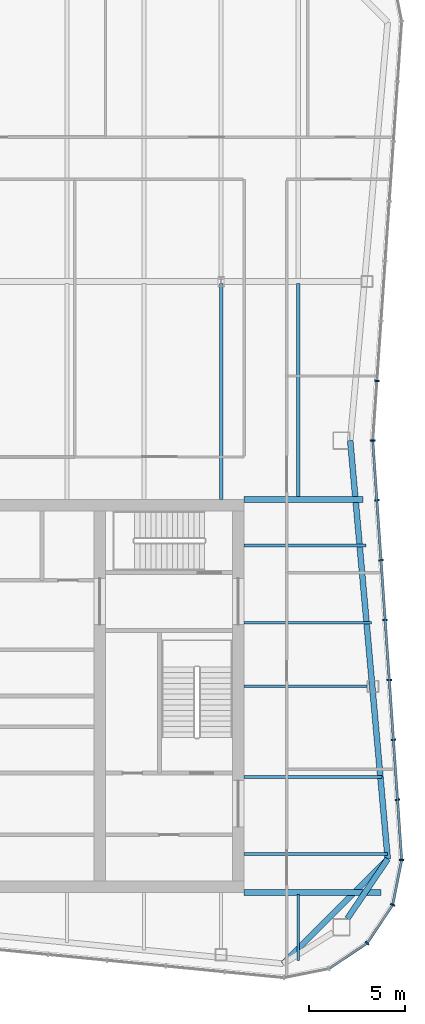
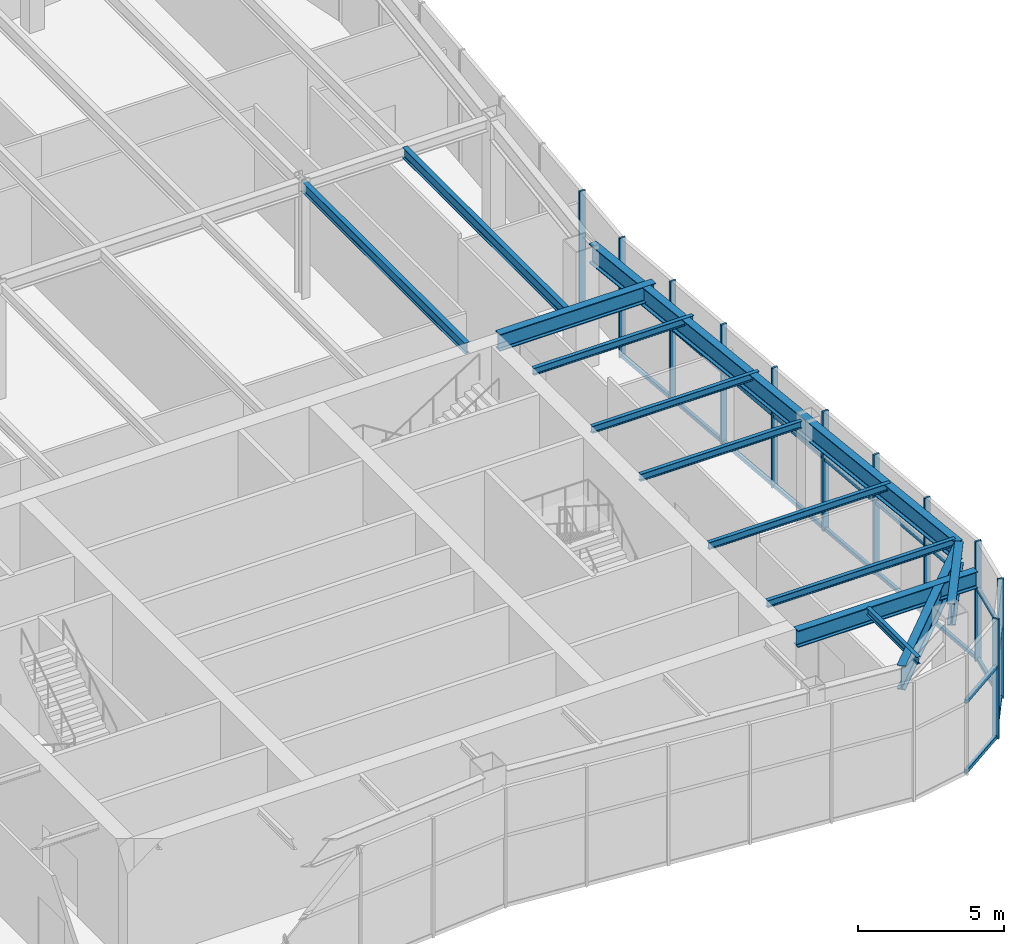
# One storey, part 5 of 13: 19 members, 13 beams, 2 elements without a shape of their own.
"""IFC4 building model written with IfcOpenShell, lengths in metres."""

import ifcopenshell
import ifcopenshell.guid

model = None  # the IFC model being written
_history = None  # IfcOwnerHistory: only IFC2X3 demands one
_inside = {}  # id of a spatial element -> (the spatial element, [elements in it])
_under = {}  # id of a project, library or spatial element -> (it, [spatial elements below it])
_declared = {}  # id of a project -> (the project, [libraries it declares])
_typed = {}  # id of a type object -> (the type object, [elements of that type])
_made_of = {}  # id of a material, layer set ... -> (it, [elements and type objects made of it])


def new_model(schema):
    """Start an empty IFC model of exactly this schema.

    Asked for "IFC4X3", IfcOpenShell would pick the latest addendum, in which some entities
    have other attributes; the version numbers below select the first issue.
    IFC2X3 requires an IfcOwnerHistory on every rooted entity: one is made here for all.
    """
    global model, _history
    if schema == "IFC4X3":
        model = ifcopenshell.file(schema_version=(4, 3, 0, 0))
    else:
        model = ifcopenshell.file(schema=schema)
    _inside.clear()
    _under.clear()
    _declared.clear()
    _typed.clear()
    _made_of.clear()
    _history = None
    if model.schema == "IFC2X3":
        org = make("IfcOrganization", Name="unknown")
        user = make(
            "IfcPersonAndOrganization",
            ThePerson=make("IfcPerson", FamilyName="unknown"),
            TheOrganization=org,
        )
        app = make(
            "IfcApplication",
            ApplicationDeveloper=org,
            Version="unknown",
            ApplicationFullName="unknown",
            ApplicationIdentifier="unknown",
        )
        _history = make(
            "IfcOwnerHistory",
            OwningUser=user,
            OwningApplication=app,
            ChangeAction="ADDED",
            CreationDate=0,
        )
    return model


def make(cls, **values):
    """One entity of the class cls with the attributes given. An attribute that is None is left unset."""
    return model.create_entity(
        cls, **{name: value for name, value in values.items() if value is not None}
    )


def rooted(cls, **values):
    """An entity with a GlobalId (a new one), such as an element, a storey or a relation."""
    return make(cls, GlobalId=ifcopenshell.guid.new(), OwnerHistory=_history, **values)


def si_unit(unit_type, name, prefix=None):
    """IfcSIUnit, for example si_unit("LENGTHUNIT", "METRE", prefix="MILLI")."""
    return make("IfcSIUnit", UnitType=unit_type, Prefix=prefix, Name=name)


def assignment(units):
    """IfcUnitAssignment: the units of a project."""
    return None if units is None else make("IfcUnitAssignment", Units=units)


def point(xyz):
    """IfcCartesianPoint."""
    return None if xyz is None else make("IfcCartesianPoint", Coordinates=xyz)


def direction(xyz):
    """IfcDirection."""
    return None if xyz is None else make("IfcDirection", DirectionRatios=xyz)


def frame(location, z_axis=None, x_axis=None):
    """IfcAxis2Placement3D, a coordinate frame: its origin and axes. An axis left out is left unset."""
    return make(
        "IfcAxis2Placement3D",
        Location=point(location),
        Axis=direction(z_axis),
        RefDirection=direction(x_axis),
    )


def frame_2d(location, x_axis=None):
    """IfcAxis2Placement2D, a coordinate frame in the plane: its origin and x axis."""
    return make(
        "IfcAxis2Placement2D", Location=point(location), RefDirection=direction(x_axis)
    )


def origin():
    """The frame at (0, 0, 0) with its axes left unset."""
    return frame((0.0, 0.0, 0.0))


def origin_2d():
    """The frame at (0, 0) in the plane with its x axis left unset."""
    return frame_2d((0.0, 0.0))


def place(relative_to, where):
    """IfcLocalPlacement: puts the frame where relative to a parent placement (None: the world)."""
    return make(
        "IfcLocalPlacement", PlacementRelTo=relative_to, RelativePlacement=where
    )


def context(
    kind, dimensions, precision=None, world=None, true_north=None, identifier=None
):
    """IfcGeometricRepresentationContext, for example the 3D "Model" context."""
    return make(
        "IfcGeometricRepresentationContext",
        ContextIdentifier=identifier,
        ContextType=kind,
        CoordinateSpaceDimension=dimensions,
        Precision=precision,
        WorldCoordinateSystem=world,
        TrueNorth=true_north,
    )


def subcontext(parent, identifier, kind, view, scale=None):
    """IfcGeometricRepresentationSubContext, for example "Body" below "Model"."""
    return make(
        "IfcGeometricRepresentationSubContext",
        ContextIdentifier=identifier,
        ContextType=kind,
        ParentContext=parent,
        TargetScale=scale,
        TargetView=view,
    )


def project(units=None, contexts=None):
    """IfcProject with its units and contexts."""
    return rooted(
        "IfcProject",
        Name="project",
        RepresentationContexts=contexts,
        UnitsInContext=assignment(units),
    )


def spatial(cls, under=None, at=None, **own):
    """A site, building, storey or space (cls), placed at a placement, below another one or the project."""
    s = rooted(cls, ObjectPlacement=at, **own)
    if under is not None:
        _under.setdefault(under.id(), (under, []))[1].append(s)
    return s


def profile(cls, at=None, kind="AREA", **sizes):
    """A parametric profile (cls). Its sizes go by their IFC names, for example OverallWidth=200.0."""
    return make(cls, ProfileType=kind, Position=at, **sizes)


def rectangle(**sizes):
    """IfcRectangleProfileDef."""
    return profile("IfcRectangleProfileDef", **sizes)


def i_section(**sizes):
    """IfcIShapeProfileDef."""
    return profile("IfcIShapeProfileDef", **sizes)


def extrude(swept, where, along, depth):
    """IfcExtrudedAreaSolid: the profile swept, set in the frame where, extruded along a direction by depth."""
    return make(
        "IfcExtrudedAreaSolid",
        SweptArea=swept,
        Position=where,
        ExtrudedDirection=direction(along),
        Depth=depth,
    )


def shape(context_of_items, identifier, shape_type, items):
    """IfcShapeRepresentation: the items that make up one representation, for example the "Body"."""
    return make(
        "IfcShapeRepresentation",
        ContextOfItems=context_of_items,
        RepresentationIdentifier=identifier,
        RepresentationType=shape_type,
        Items=items,
    )


def material(Name=None, Category=None):
    """IfcMaterial."""
    return make("IfcMaterial", Name=Name, Category=Category)


def material_profile(
    of_material, cross_section, Name=None, Category=None, Priority=None
):
    """IfcMaterialProfile: a cross section and its material."""
    return make(
        "IfcMaterialProfile",
        Name=Name,
        Material=of_material,
        Profile=cross_section,
        Priority=Priority,
        Category=Category,
    )


def profile_set(profiles, Name=None, composite=None):
    """IfcMaterialProfileSet."""
    return make(
        "IfcMaterialProfileSet",
        Name=Name,
        MaterialProfiles=profiles,
        CompositeProfile=composite,
    )


def made_of(thing, what):
    """Note that an element or type object is made of a material, layer set ...; save() writes the relation."""
    if what is not None:
        _made_of.setdefault(what.id(), (what, []))[1].append(thing)
    return thing


def type_object(cls, material=None, **own):
    """A type object (cls), such as IfcWallType, which elements share."""
    return made_of(rooted(cls, **own), material)


def element(
    cls,
    number,
    at=None,
    inside=None,
    cuts=None,
    type_object=None,
    material=None,
    context=None,
    identifier="Body",
    shape_type=None,
    held_by="IfcProductDefinitionShape",
    body=None,
    shapes=None,
    **own,
):
    """One element of the class cls, such as IfcWall. Its Tag is "e" and its number.

    at: its placement. inside: the storey or other place that contains it. cuts: it is an
    opening in that element (IfcRelVoidsElement). A single representation is given by context,
    identifier, shape_type and body (its items); several are given by shapes. held_by: the class
    of the entity that holds the representations. save() writes the other relations.
    """
    e = rooted(cls, Tag="e%d" % number, ObjectPlacement=at, **own)
    if body is not None:
        shapes = [shape(context, identifier, shape_type, body)]
    if shapes is not None:
        e.Representation = make(held_by, Representations=shapes)
    if inside is not None:
        _inside.setdefault(inside.id(), (inside, []))[1].append(e)
    if cuts is not None:
        rooted(
            "IfcRelVoidsElement", RelatingBuildingElement=cuts, RelatedOpeningElement=e
        )
    if type_object is not None:
        _typed.setdefault(type_object.id(), (type_object, []))[1].append(e)
    return made_of(e, material)


def aggregate(whole, parts):
    """IfcRelAggregates: a whole, such as a stair, and the parts it consists of."""
    return rooted("IfcRelAggregates", RelatingObject=whole, RelatedObjects=parts)


def save(model, path):
    """Write the relations noted so far, then the file.

    IfcRelAggregates (storeys below a building ...), IfcRelContainedInSpatialStructure (elements
    in a storey), IfcRelDefinesByType, IfcRelAssociatesMaterial and IfcRelDeclares: one each for
    every whole, place, type object, material and project.
    """
    for whole, parts in _under.values():
        aggregate(whole, parts)
    for where, things in _inside.values():
        rooted(
            "IfcRelContainedInSpatialStructure",
            RelatedElements=things,
            RelatingStructure=where,
        )
    for kind, things in _typed.values():
        rooted("IfcRelDefinesByType", RelatedObjects=things, RelatingType=kind)
    for what, things in _made_of.values():
        rooted("IfcRelAssociatesMaterial", RelatedObjects=things, RelatingMaterial=what)
    for by, libraries in _declared.values():
        rooted("IfcRelDeclares", RelatingContext=by, RelatedDefinitions=libraries)
    model.write(path)


model = new_model("IFC4")

# Units and contexts
model_context = context("Model", 3, precision=1e-05, world=origin(), true_north=direction((0.0, 1.0)))
body_context = subcontext(model_context, "Body", "Model", "MODEL_VIEW")
ifc_project = project(units=[si_unit("LENGTHUNIT", "METRE"), si_unit("AREAUNIT", "SQUARE_METRE"), si_unit("VOLUMEUNIT", "CUBIC_METRE"), si_unit("PLANEANGLEUNIT", "RADIAN"), si_unit("MASSUNIT", "GRAM", prefix="KILO")], contexts=[model_context])

# Site, building, storey
site_placement = place(None, origin())
site = spatial("IfcSite", under=ifc_project, at=site_placement, CompositionType="ELEMENT")
building_placement = place(site_placement, origin())
building = spatial("IfcBuilding", under=site, at=building_placement, Name="Verdant Reach Tower", CompositionType="ELEMENT")
storey_placement = place(building_placement, frame((0.0, 0.0, 349.5)))
storey = spatial("IfcBuildingStorey", under=building, at=storey_placement, Name="L79 Plant", CompositionType="ELEMENT", Elevation=349.5)

# Curtain wall, members
ifc_material_1 = material(Name="Anodised aluminium", Category="aluminium")
curtain_wall_type = type_object("IfcCurtainWallType", Name="EN-CW SYSTEM PLANT", PredefinedType="NOTDEFINED", material=ifc_material_1)
curtain_wall_1_placement = place(storey_placement, origin())
curtain_wall_1 = element("IfcCurtainWall", 1, at=curtain_wall_1_placement, inside=storey, type_object=curtain_wall_type, Name="Curtain wall south-east corner, L79", PredefinedType="NOTDEFINED")
ifc_material_profile_1 = material_profile(ifc_material_1, rectangle(XDim=0.238037109375, YDim=0.080078125, at=origin_2d()), Name="Mullion 80x240")
ifc_profile_set_1 = profile_set([ifc_material_profile_1], Name="Anodised aluminium")
member_type_1 = type_object("IfcMemberType", Name="EN-MULLION PLANT", PredefinedType="MULLION", material=ifc_profile_set_1)
member_1_placement = place(storey_placement, frame((19.57666015625, 15.17333984375, -0.35009765625), z_axis=(0.0, 0.0, 1.0), x_axis=(0.707106781187, -0.707106781187, 0.0)))
member_1 = element("IfcMember", 2, at=member_1_placement, type_object=member_type_1, Name="Mullion south-east corner 3, L79", PredefinedType="MULLION", context=body_context, shape_type="SweptSolid", body=[
    extrude(rectangle(XDim=0.238037109375, YDim=0.080078125, at=origin_2d()), origin(), (0.0, 0.0, 1.0), 5.0),
])
member_2_placement = place(storey_placement, frame((20.9033203125, 17.158447265625, -0.35009765625), z_axis=(0.0, 0.0, 1.0), x_axis=(0.923875215753, -0.382693853776, 0.0)))
member_2 = element("IfcMember", 3, at=member_2_placement, type_object=member_type_1, Name="Mullion south-east corner 4, L79", PredefinedType="MULLION", context=body_context, shape_type="SweptSolid", body=[
    extrude(rectangle(XDim=0.238037109375, YDim=0.080078125, at=origin_2d()), origin(), (0.0, 0.0, 1.0), 5.0),
])

curtain_wall_2_placement = place(storey_placement, origin())
curtain_wall_2 = element("IfcCurtainWall", 4, at=curtain_wall_2_placement, inside=storey, type_object=curtain_wall_type, Name="Curtain wall east, L79", PredefinedType="NOTDEFINED")
member_3_placement = place(storey_placement, frame((21.36865234375, 19.492431640625, -0.35009765625), z_axis=(0.0, 0.0, 1.0), x_axis=(0.997969180898, -0.063698618332, 0.0)))
member_3 = element("IfcMember", 5, at=member_3_placement, type_object=member_type_1, Name="Mullion east face part 1 1, L79", PredefinedType="MULLION", context=body_context, shape_type="SweptSolid", body=[
    extrude(rectangle(XDim=0.238037109375, YDim=0.080078125, at=origin_2d()), origin(), (0.0, 0.0, 1.0), 5.0),
])
member_4_placement = place(storey_placement, frame((21.154541015625, 22.615234375, -0.35009765625), z_axis=(0.0, 0.0, 1.0), x_axis=(0.997630328423, 0.068802091615, 0.0)))
member_4 = element("IfcMember", 6, at=member_4_placement, type_object=member_type_1, Name="Mullion east face part 1 2, L79", PredefinedType="MULLION", context=body_context, shape_type="SweptSolid", body=[
    extrude(rectangle(XDim=0.238037109375, YDim=0.080078125, at=origin_2d()), origin(), (0.0, 0.0, 1.0), 5.0),
])
member_5_placement = place(storey_placement, frame((20.940185546875, 25.722412109375, -0.35009765625), z_axis=(0.0, 0.0, 1.0), x_axis=(0.997630328423, 0.068802091615, 0.0)))
member_5 = element("IfcMember", 7, at=member_5_placement, type_object=member_type_1, Name="Mullion east face part 1 3, L79", PredefinedType="MULLION", context=body_context, shape_type="SweptSolid", body=[
    extrude(rectangle(XDim=0.238037109375, YDim=0.080078125, at=origin_2d()), origin(), (0.0, 0.0, 1.0), 5.0),
])
member_6_placement = place(storey_placement, frame((20.725830078125, 28.82958984375, -0.35009765625), z_axis=(0.0, 0.0, 1.0), x_axis=(0.997630328423, 0.068802091615, 0.0)))
member_6 = element("IfcMember", 8, at=member_6_placement, type_object=member_type_1, Name="Mullion east face part 1 4, L79", PredefinedType="MULLION", context=body_context, shape_type="SweptSolid", body=[
    extrude(rectangle(XDim=0.238037109375, YDim=0.080078125, at=origin_2d()), origin(), (0.0, 0.0, 1.0), 5.0),
])
member_7_placement = place(storey_placement, frame((20.511474609375, 31.936767578125, -0.35009765625), z_axis=(0.0, 0.0, 1.0), x_axis=(0.997630328423, 0.068802091615, 0.0)))
member_7 = element("IfcMember", 9, at=member_7_placement, type_object=member_type_1, Name="Mullion east face part 1 5, L79", PredefinedType="MULLION", context=body_context, shape_type="SweptSolid", body=[
    extrude(rectangle(XDim=0.238037109375, YDim=0.080078125, at=origin_2d()), origin(), (0.0, 0.0, 1.0), 5.0),
])
member_8_placement = place(storey_placement, frame((20.29736328125, 35.0439453125, -0.35009765625), z_axis=(0.0, 0.0, 1.0), x_axis=(0.997630328423, 0.068802091615, 0.0)))
member_8 = element("IfcMember", 10, at=member_8_placement, type_object=member_type_1, Name="Mullion east face part 1 6, L79", PredefinedType="MULLION", context=body_context, shape_type="SweptSolid", body=[
    extrude(rectangle(XDim=0.238037109375, YDim=0.080078125, at=origin_2d()), origin(), (0.0, 0.0, 1.0), 5.0),
])
member_9_placement = place(storey_placement, frame((20.0830078125, 38.151123046875, -0.35009765625), z_axis=(0.0, 0.0, 1.0), x_axis=(0.997630328423, 0.068802091615, 0.0)))
member_9 = element("IfcMember", 11, at=member_9_placement, type_object=member_type_1, Name="Mullion east face part 1 7, L79", PredefinedType="MULLION", context=body_context, shape_type="SweptSolid", body=[
    extrude(rectangle(XDim=0.238037109375, YDim=0.080078125, at=origin_2d()), origin(), (0.0, 0.0, 1.0), 5.0),
])
member_10_placement = place(storey_placement, frame((19.868896484375, 41.25, -0.35009765625), z_axis=(0.0, 0.0, 1.0), x_axis=(1.0, 0.0, 0.0)))
member_10 = element("IfcMember", 12, at=member_10_placement, type_object=member_type_1, Name="Mullion east face part 2 1, L79", PredefinedType="MULLION", context=body_context, shape_type="SweptSolid", body=[
    extrude(rectangle(XDim=0.238037109375, YDim=0.080078125, at=origin_2d()), origin(), (0.0, 0.0, 1.0), 5.0),
])
member_11_placement = place(storey_placement, frame((20.0830078125, 44.348876953125, -0.35009765625), z_axis=(0.0, 0.0, 1.0), x_axis=(0.997630328423, -0.068802091615, 0.0)))
member_11 = element("IfcMember", 13, at=member_11_placement, type_object=member_type_1, Name="Mullion east face part 2 2, L79", PredefinedType="MULLION", context=body_context, shape_type="SweptSolid", body=[
    extrude(rectangle(XDim=0.238037109375, YDim=0.080078125, at=origin_2d()), origin(), (0.0, 0.0, 1.0), 5.0),
])

# Member
ifc_material_profile_2 = material_profile(ifc_material_1, rectangle(XDim=0.1201171875, YDim=0.14990234375, at=origin_2d()), Name="Transom 150x120")
ifc_profile_set_2 = profile_set([ifc_material_profile_2], Name="Anodised aluminium")
member_type_2 = type_object("IfcMemberType", Name="EN-TRANSOM PLANT", PredefinedType="USERDEFINED", material=ifc_profile_set_2)
member_12_placement = place(storey_placement, frame((17.625, 13.868896484375, -0.27490234375), z_axis=(0.831398626828, 0.5556764556, 0.0), x_axis=(-0.5556764556, 0.831398626828, 0.0)))
member_12 = element("IfcMember", 14, at=member_12_placement, type_object=member_type_2, Name="Transom south-east corner 2.1, L79", ObjectType="TRANSOM", PredefinedType="USERDEFINED", context=body_context, shape_type="SweptSolid", body=[
    extrude(rectangle(XDim=0.1201171875, YDim=0.14990234375, at=origin_2d()), origin(), (0.0, 0.0, 1.0), 2.3076171875),
])

member_13_placement = place(storey_placement, frame((19.598876953125, 15.20654296875, -0.27490234375), z_axis=(0.5556764556, 0.831398626828, 0.0), x_axis=(-0.831398626828, 0.5556764556, 0.0)))
member_13 = element("IfcMember", 15, at=member_13_placement, type_object=member_type_2, Name="Transom south-east corner 3.1, L79", ObjectType="TRANSOM", PredefinedType="USERDEFINED", context=body_context, shape_type="SweptSolid", body=[
    extrude(rectangle(XDim=0.1201171875, YDim=0.14990234375, at=origin_2d()), origin(), (0.0, 0.0, 1.0), 2.3076171875),
])

member_14_placement = place(storey_placement, frame((20.9111328125, 17.197509765625, -0.27490234375), z_axis=(0.195524121666, 0.980698892549, 0.0), x_axis=(-0.980698892549, 0.195524121666, 0.0)))
member_14 = element("IfcMember", 16, at=member_14_placement, type_object=member_type_2, Name="Transom south-east corner 4.1, L79", ObjectType="TRANSOM", PredefinedType="USERDEFINED", context=body_context, shape_type="SweptSolid", body=[
    extrude(rectangle(XDim=0.1201171875, YDim=0.14990234375, at=origin_2d()), origin(), (0.0, 0.0, 1.0), 2.300048828125),
])

member_15_placement = place(storey_placement, frame((17.625, 13.868896484375, 2.64990234375), z_axis=(0.831398626828, 0.5556764556, 0.0), x_axis=(-0.5556764556, 0.831398626828, 0.0)))
member_15 = element("IfcMember", 17, at=member_15_placement, type_object=member_type_2, Name="Transom south-east corner 2.2, L79", ObjectType="TRANSOM", PredefinedType="USERDEFINED", context=body_context, shape_type="SweptSolid", body=[
    extrude(rectangle(XDim=0.1201171875, YDim=0.14990234375, at=origin_2d()), origin(), (0.0, 0.0, 1.0), 2.3076171875),
])

member_16_placement = place(storey_placement, frame((19.598876953125, 15.20654296875, 2.64990234375), z_axis=(0.5556764556, 0.831398626828, 0.0), x_axis=(-0.831398626828, 0.5556764556, 0.0)))
member_16 = element("IfcMember", 18, at=member_16_placement, type_object=member_type_2, Name="Transom south-east corner 3.2, L79", ObjectType="TRANSOM", PredefinedType="USERDEFINED", context=body_context, shape_type="SweptSolid", body=[
    extrude(rectangle(XDim=0.1201171875, YDim=0.14990234375, at=origin_2d()), origin(), (0.0, 0.0, 1.0), 2.3076171875),
])

member_17_placement = place(storey_placement, frame((20.9111328125, 17.197509765625, 2.64990234375), z_axis=(0.195524121666, 0.980698892549, 0.0), x_axis=(-0.980698892549, 0.195524121666, 0.0)))
member_17 = element("IfcMember", 19, at=member_17_placement, type_object=member_type_2, Name="Transom south-east corner 4.2, L79", ObjectType="TRANSOM", PredefinedType="USERDEFINED", context=body_context, shape_type="SweptSolid", body=[
    extrude(rectangle(XDim=0.1201171875, YDim=0.14990234375, at=origin_2d()), origin(), (0.0, 0.0, 1.0), 2.300048828125),
])

aggregate(curtain_wall_1, [member_1, member_2, member_12, member_13, member_14, member_15, member_16, member_17])

member_18_placement = place(storey_placement, frame((21.365966796875, 19.5322265625, -0.27490234375), z_axis=(-0.068761218296, 0.997633146431, 0.0), x_axis=(-0.997633146431, -0.068761218296, 0.0)))
member_18 = element("IfcMember", 20, at=member_18_placement, type_object=member_type_2, Name="Transom east face part 1 1.1, L79", ObjectType="TRANSOM", PredefinedType="USERDEFINED", context=body_context, shape_type="SweptSolid", body=[
    extrude(rectangle(XDim=0.1201171875, YDim=0.14990234375, at=origin_2d()), origin(), (0.0, 0.0, 1.0), 21.7294921875),
])

member_19_placement = place(storey_placement, frame((21.365966796875, 19.5322265625, 2.64990234375), z_axis=(-0.068761218296, 0.997633146431, 0.0), x_axis=(-0.997633146431, -0.068761218296, 0.0)))
member_19 = element("IfcMember", 21, at=member_19_placement, type_object=member_type_2, Name="Transom east face part 1 1.2, L79", ObjectType="TRANSOM", PredefinedType="USERDEFINED", context=body_context, shape_type="SweptSolid", body=[
    extrude(rectangle(XDim=0.1201171875, YDim=0.14990234375, at=origin_2d()), origin(), (0.0, 0.0, 1.0), 21.7294921875),
])

aggregate(curtain_wall_2, [member_3, member_4, member_5, member_6, member_7, member_8, member_9, member_18, member_19, member_10, member_11])

# Beams
ifc_material_2 = material(Name="Steel S355", Category="steel")
ifc_material_profile_3 = material_profile(ifc_material_2, i_section(OverallWidth=0.300048828125, OverallDepth=0.699951171875, WebThickness=0.01708984375, FlangeThickness=0.031982421875, FilletRadius=0.027099609375, at=origin_2d()), Name="HEB 700")
ifc_profile_set_3 = profile_set([ifc_material_profile_3], Name="Steel S355")
beam_type_1 = type_object("IfcBeamType", Name="ST-BEAM-HEB700", PredefinedType="BEAM", material=ifc_profile_set_3)
beam_1_placement = place(storey_placement, frame((13.199951171875, 38.199951171875, 4.5), z_axis=(1.0, 0.0, 0.0), x_axis=(0.0, 1.0, 0.0)))
element("IfcBeam", 22, at=beam_1_placement, inside=storey, type_object=beam_type_1, Name="Trimmer beam, L79 Plant", PredefinedType="BEAM", context=body_context, shape_type="SweptSolid", body=[
    extrude(i_section(OverallWidth=0.300048828125, OverallDepth=0.699951171875, WebThickness=0.01708984375, FlangeThickness=0.031982421875, FilletRadius=0.027099609375, at=origin_2d()), origin(), (0.0, 0.0, 1.0), 6.158935546875),
])
beam_2_placement = place(storey_placement, frame((13.199951171875, 17.800048828125, 4.5), z_axis=(1.0, 0.0, 0.0), x_axis=(0.0, 1.0, 0.0)))
element("IfcBeam", 23, at=beam_2_placement, inside=storey, type_object=beam_type_1, Name="Trimmer beam, L79 Plant", PredefinedType="BEAM", context=body_context, shape_type="SweptSolid", body=[
    extrude(i_section(OverallWidth=0.300048828125, OverallDepth=0.699951171875, WebThickness=0.01708984375, FlangeThickness=0.031982421875, FilletRadius=0.027099609375, at=origin_2d()), origin(), (0.0, 0.0, 1.0), 7.10009765625),
])
ifc_material_profile_4 = material_profile(ifc_material_2, i_section(OverallWidth=0.302001953125, OverallDepth=0.909912109375, WebThickness=0.02099609375, FlangeThickness=0.0400390625, FilletRadius=0.030029296875, at=origin_2d()), Name="HEM 900")
ifc_profile_set_4 = profile_set([ifc_material_profile_4], Name="Steel S355")
beam_type_2 = type_object("IfcBeamType", Name="ST-BEAM-HEM900", PredefinedType="BEAM", material=ifc_profile_set_4)
beam_3_placement = place(storey_placement, frame((18.5546875, 16.449951171875, 4.39501953125), z_axis=(0.560667226688, 0.828041219335, 0.0), x_axis=(-0.828041219335, 0.560667226688, 0.0)))
element("IfcBeam", 24, at=beam_3_placement, inside=storey, type_object=beam_type_2, Name="Column stub beam, L79 Plant", PredefinedType="BEAM", context=body_context, shape_type="SweptSolid", body=[
    extrude(i_section(OverallWidth=0.302001953125, OverallDepth=0.909912109375, WebThickness=0.02099609375, FlangeThickness=0.0400390625, FilletRadius=0.030029296875, at=origin_2d()), origin(), (0.0, 0.0, 1.0), 3.72998046875),
])
ifc_material_profile_5 = material_profile(ifc_material_2, i_section(OverallWidth=0.14990234375, OverallDepth=0.300048828125, WebThickness=0.007080078125, FlangeThickness=0.0107421875, FilletRadius=0.014892578125, at=origin_2d()), Name="IPE 300")
ifc_profile_set_5 = profile_set([ifc_material_profile_5], Name="Steel S355")
beam_type_3 = type_object("IfcBeamType", Name="ST-JOIST-IPE300", PredefinedType="JOIST", material=ifc_profile_set_5)
beam_4_placement = place(storey_placement, frame((16.0, 17.699951171875, 4.699951171875), z_axis=(0.0, -1.0, 0.0), x_axis=(1.0, 0.0, 0.0)))
element("IfcBeam", 25, at=beam_4_placement, inside=storey, type_object=beam_type_3, Name="Floor joist, L79 Plant", PredefinedType="JOIST", context=body_context, shape_type="SweptSolid", body=[
    extrude(i_section(OverallWidth=0.14990234375, OverallDepth=0.300048828125, WebThickness=0.007080078125, FlangeThickness=0.0107421875, FilletRadius=0.014892578125, at=origin_2d()), origin(), (0.0, 0.0, 1.0), 3.43896484375),
])
beam_5_placement = place(storey_placement, frame((13.199951171875, 19.800048828125, 4.699951171875), z_axis=(1.0, 0.0, 0.0), x_axis=(0.0, 1.0, 0.0)))
element("IfcBeam", 26, at=beam_5_placement, inside=storey, type_object=beam_type_3, Name="Floor joist, L79 Plant", PredefinedType="JOIST", context=body_context, shape_type="SweptSolid", body=[
    extrude(i_section(OverallWidth=0.14990234375, OverallDepth=0.300048828125, WebThickness=0.007080078125, FlangeThickness=0.0107421875, FilletRadius=0.014892578125, at=origin_2d()), origin(), (0.0, 0.0, 1.0), 7.427978515625),
])
beam_6_placement = place(storey_placement, frame((13.199951171875, 23.800048828125, 4.699951171875), z_axis=(1.0, 0.0, 0.0), x_axis=(0.0, 1.0, 0.0)))
element("IfcBeam", 27, at=beam_6_placement, inside=storey, type_object=beam_type_3, Name="Floor joist, L79 Plant", PredefinedType="JOIST", context=body_context, shape_type="SweptSolid", body=[
    extrude(i_section(OverallWidth=0.14990234375, OverallDepth=0.300048828125, WebThickness=0.007080078125, FlangeThickness=0.0107421875, FilletRadius=0.014892578125, at=origin_2d()), origin(), (0.0, 0.0, 1.0), 7.152099609375),
])
beam_7_placement = place(storey_placement, frame((13.199951171875, 28.5, 4.699951171875), z_axis=(1.0, 0.0, 0.0), x_axis=(0.0, 1.0, 0.0)))
element("IfcBeam", 28, at=beam_7_placement, inside=storey, type_object=beam_type_3, Name="Floor joist, L79 Plant", PredefinedType="JOIST", context=body_context, shape_type="SweptSolid", body=[
    extrude(i_section(OverallWidth=0.14990234375, OverallDepth=0.300048828125, WebThickness=0.007080078125, FlangeThickness=0.0107421875, FilletRadius=0.014892578125, at=origin_2d()), origin(), (0.0, 0.0, 1.0), 6.37939453125),
])
beam_8_placement = place(storey_placement, frame((13.199951171875, 31.800048828125, 4.699951171875), z_axis=(1.0, 0.0, 0.0), x_axis=(0.0, 1.0, 0.0)))
element("IfcBeam", 29, at=beam_8_placement, inside=storey, type_object=beam_type_3, Name="Floor joist, L79 Plant", PredefinedType="JOIST", context=body_context, shape_type="SweptSolid", body=[
    extrude(i_section(OverallWidth=0.14990234375, OverallDepth=0.300048828125, WebThickness=0.007080078125, FlangeThickness=0.0107421875, FilletRadius=0.014892578125, at=origin_2d()), origin(), (0.0, 0.0, 1.0), 6.600341796875),
])
beam_9_placement = place(storey_placement, frame((13.199951171875, 35.800048828125, 4.699951171875), z_axis=(1.0, 0.0, 0.0), x_axis=(0.0, 1.0, 0.0)))
element("IfcBeam", 30, at=beam_9_placement, inside=storey, type_object=beam_type_3, Name="Floor joist, L79 Plant", PredefinedType="JOIST", context=body_context, shape_type="SweptSolid", body=[
    extrude(i_section(OverallWidth=0.14990234375, OverallDepth=0.300048828125, WebThickness=0.007080078125, FlangeThickness=0.0107421875, FilletRadius=0.014892578125, at=origin_2d()), origin(), (0.0, 0.0, 1.0), 6.324462890625),
])
ifc_material_profile_6 = material_profile(ifc_material_2, i_section(OverallWidth=0.18994140625, OverallDepth=0.449951171875, WebThickness=0.009521484375, FlangeThickness=0.0146484375, FilletRadius=0.02099609375, at=origin_2d()), Name="IPE 450")
ifc_profile_set_6 = profile_set([ifc_material_profile_6], Name="Steel S355")
beam_type_4 = type_object("IfcBeamType", Name="ST-JOIST-IPE450", PredefinedType="JOIST", material=ifc_profile_set_6)
beam_10_placement = place(storey_placement, frame((12.0, 38.199951171875, 4.625), z_axis=(0.0, 1.0, 0.0), x_axis=(-1.0, 0.0, 0.0)))
element("IfcBeam", 31, at=beam_10_placement, inside=storey, type_object=beam_type_4, Name="Floor joist, L79 Plant", PredefinedType="JOIST", context=body_context, shape_type="SweptSolid", body=[
    extrude(i_section(OverallWidth=0.18994140625, OverallDepth=0.449951171875, WebThickness=0.009521484375, FlangeThickness=0.0146484375, FilletRadius=0.02099609375, at=origin_2d()), origin(), (0.0, 0.0, 1.0), 11.199951171875),
])
beam_11_placement = place(storey_placement, frame((16.0, 38.300048828125, 4.625), z_axis=(0.0, 1.0, 0.0), x_axis=(-1.0, 0.0, 0.0)))
element("IfcBeam", 32, at=beam_11_placement, inside=storey, type_object=beam_type_4, Name="Floor joist, L79 Plant", PredefinedType="JOIST", context=body_context, shape_type="SweptSolid", body=[
    extrude(i_section(OverallWidth=0.18994140625, OverallDepth=0.449951171875, WebThickness=0.009521484375, FlangeThickness=0.0146484375, FilletRadius=0.02099609375, at=origin_2d()), origin(), (0.0, 0.0, 1.0), 11.099853515625),
])
ifc_material_profile_7 = material_profile(ifc_material_2, i_section(OverallWidth=0.300048828125, OverallDepth=0.800048828125, WebThickness=0.017578125, FlangeThickness=0.032958984375, FilletRadius=0.030029296875, at=origin_2d()), Name="HEB 800")
ifc_profile_set_7 = profile_set([ifc_material_profile_7], Name="Steel S355")
beam_type_5 = type_object("IfcBeamType", Name="ST-SPANDREL-HEB800", PredefinedType="SPANDREL", material=ifc_profile_set_7)
beam_12_placement = place(storey_placement, frame((18.699951171875, 41.25, 4.449951171875), z_axis=(0.089274399498, -0.996007069048, 0.0), x_axis=(0.996007069048, 0.089274399498, 0.0)))
element("IfcBeam", 33, at=beam_12_placement, inside=storey, type_object=beam_type_5, Name="Edge beam, L79 Plant", PredefinedType="SPANDREL", context=body_context, shape_type="SweptSolid", body=[
    extrude(i_section(OverallWidth=0.300048828125, OverallDepth=0.800048828125, WebThickness=0.017578125, FlangeThickness=0.032958984375, FilletRadius=0.030029296875, at=origin_2d()), origin(), (0.0, 0.0, 1.0), 21.798583984375),
])
ifc_material_profile_8 = material_profile(ifc_material_2, i_section(OverallWidth=0.302001953125, OverallDepth=1.008056640625, WebThickness=0.02099609375, FlangeThickness=0.0400390625, FilletRadius=0.030029296875, at=origin_2d()), Name="HEM 1000")
ifc_profile_set_8 = profile_set([ifc_material_profile_8], Name="Steel S355")
beam_type_6 = type_object("IfcBeamType", Name="ST-SPANDREL-HEM1000", PredefinedType="SPANDREL", material=ifc_profile_set_8)
beam_13_placement = place(storey_placement, frame((20.64599609375, 19.53857421875, 4.345947265625), z_axis=(-0.706645581521, -0.707567680237, 0.0), x_axis=(0.707567680237, -0.706645581521, 0.0)))
element("IfcBeam", 34, at=beam_13_placement, inside=storey, type_object=beam_type_6, Name="Edge beam, L79 Plant", PredefinedType="SPANDREL", context=body_context, shape_type="SweptSolid", body=[
    extrude(i_section(OverallWidth=0.302001953125, OverallDepth=1.008056640625, WebThickness=0.02099609375, FlangeThickness=0.0400390625, FilletRadius=0.030029296875, at=origin_2d()), origin(), (0.0, 0.0, 1.0), 7.67822265625),
])

save(model, "model.ifc")
